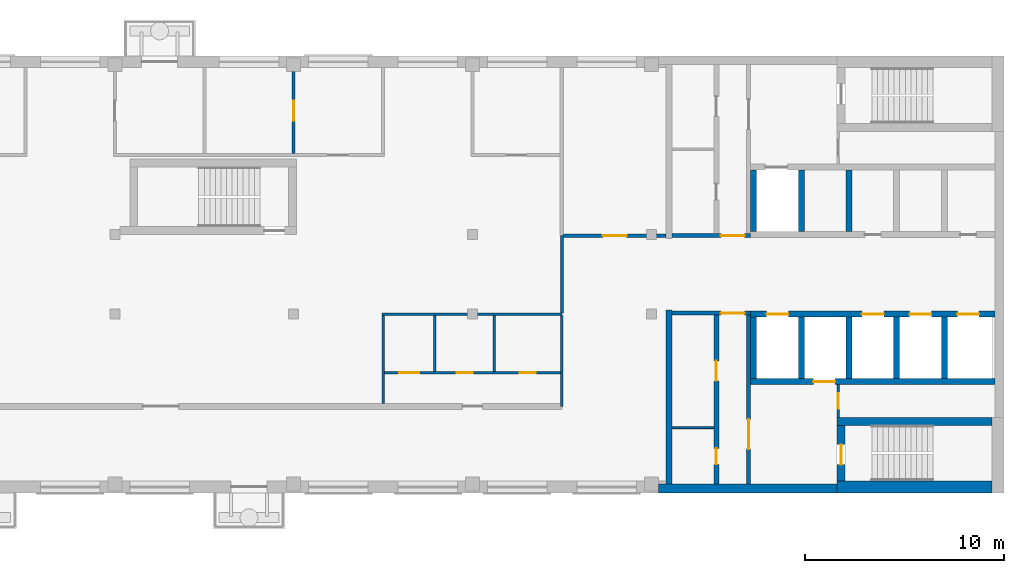
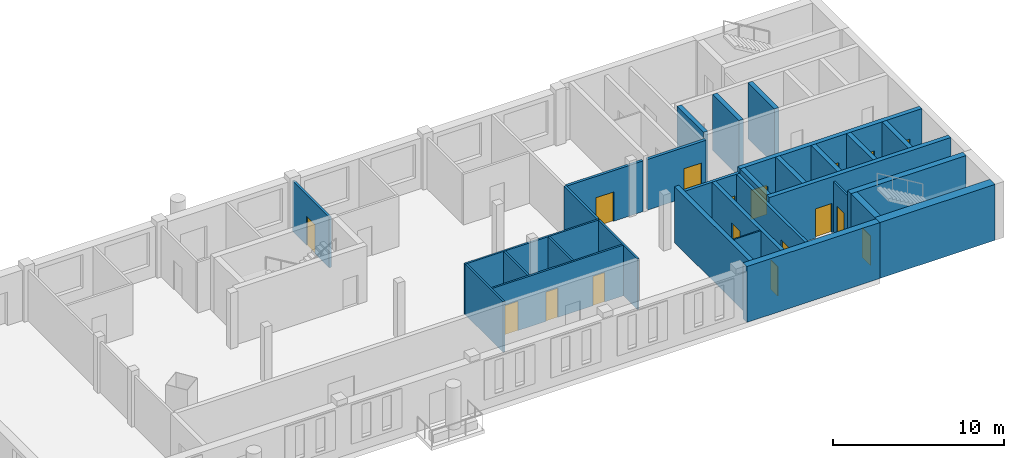
# One storey, part 3 of 7: 30 walls, 17 doors, 17 openings.
"""IFC4 building model written with IfcOpenShell, lengths in metres."""

import ifcopenshell
import ifcopenshell.guid

model = None  # the IFC model being written
_history = None  # IfcOwnerHistory: only IFC2X3 demands one
_inside = {}  # id of a spatial element -> (the spatial element, [elements in it])
_under = {}  # id of a project, library or spatial element -> (it, [spatial elements below it])
_declared = {}  # id of a project -> (the project, [libraries it declares])
_typed = {}  # id of a type object -> (the type object, [elements of that type])
_made_of = {}  # id of a material, layer set ... -> (it, [elements and type objects made of it])


def new_model(schema):
    """Start an empty IFC model of exactly this schema.

    Asked for "IFC4X3", IfcOpenShell would pick the latest addendum, in which some entities
    have other attributes; the version numbers below select the first issue.
    IFC2X3 requires an IfcOwnerHistory on every rooted entity: one is made here for all.
    """
    global model, _history
    if schema == "IFC4X3":
        model = ifcopenshell.file(schema_version=(4, 3, 0, 0))
    else:
        model = ifcopenshell.file(schema=schema)
    _inside.clear()
    _under.clear()
    _declared.clear()
    _typed.clear()
    _made_of.clear()
    _history = None
    if model.schema == "IFC2X3":
        org = make("IfcOrganization", Name="unknown")
        user = make(
            "IfcPersonAndOrganization",
            ThePerson=make("IfcPerson", FamilyName="unknown"),
            TheOrganization=org,
        )
        app = make(
            "IfcApplication",
            ApplicationDeveloper=org,
            Version="unknown",
            ApplicationFullName="unknown",
            ApplicationIdentifier="unknown",
        )
        _history = make(
            "IfcOwnerHistory",
            OwningUser=user,
            OwningApplication=app,
            ChangeAction="ADDED",
            CreationDate=0,
        )
    return model


def make(cls, **values):
    """One entity of the class cls with the attributes given. An attribute that is None is left unset."""
    return model.create_entity(
        cls, **{name: value for name, value in values.items() if value is not None}
    )


def rooted(cls, **values):
    """An entity with a GlobalId (a new one), such as an element, a storey or a relation."""
    return make(cls, GlobalId=ifcopenshell.guid.new(), OwnerHistory=_history, **values)


def si_unit(unit_type, name, prefix=None):
    """IfcSIUnit, for example si_unit("LENGTHUNIT", "METRE", prefix="MILLI")."""
    return make("IfcSIUnit", UnitType=unit_type, Prefix=prefix, Name=name)


def assignment(units):
    """IfcUnitAssignment: the units of a project."""
    return None if units is None else make("IfcUnitAssignment", Units=units)


def point(xyz):
    """IfcCartesianPoint."""
    return None if xyz is None else make("IfcCartesianPoint", Coordinates=xyz)


def direction(xyz):
    """IfcDirection."""
    return None if xyz is None else make("IfcDirection", DirectionRatios=xyz)


def frame(location, z_axis=None, x_axis=None):
    """IfcAxis2Placement3D, a coordinate frame: its origin and axes. An axis left out is left unset."""
    return make(
        "IfcAxis2Placement3D",
        Location=point(location),
        Axis=direction(z_axis),
        RefDirection=direction(x_axis),
    )


def frame_2d(location, x_axis=None):
    """IfcAxis2Placement2D, a coordinate frame in the plane: its origin and x axis."""
    return make(
        "IfcAxis2Placement2D", Location=point(location), RefDirection=direction(x_axis)
    )


def origin():
    """The frame at (0, 0, 0) with its axes left unset."""
    return frame((0.0, 0.0, 0.0))


def place(relative_to, where):
    """IfcLocalPlacement: puts the frame where relative to a parent placement (None: the world)."""
    return make(
        "IfcLocalPlacement", PlacementRelTo=relative_to, RelativePlacement=where
    )


def context(
    kind, dimensions, precision=None, world=None, true_north=None, identifier=None
):
    """IfcGeometricRepresentationContext, for example the 3D "Model" context."""
    return make(
        "IfcGeometricRepresentationContext",
        ContextIdentifier=identifier,
        ContextType=kind,
        CoordinateSpaceDimension=dimensions,
        Precision=precision,
        WorldCoordinateSystem=world,
        TrueNorth=true_north,
    )


def subcontext(parent, identifier, kind, view, scale=None):
    """IfcGeometricRepresentationSubContext, for example "Body" below "Model"."""
    return make(
        "IfcGeometricRepresentationSubContext",
        ContextIdentifier=identifier,
        ContextType=kind,
        ParentContext=parent,
        TargetScale=scale,
        TargetView=view,
    )


def project(units=None, contexts=None):
    """IfcProject with its units and contexts."""
    return rooted(
        "IfcProject",
        Name="project",
        RepresentationContexts=contexts,
        UnitsInContext=assignment(units),
    )


def spatial(cls, under=None, at=None, **own):
    """A site, building, storey or space (cls), placed at a placement, below another one or the project."""
    s = rooted(cls, ObjectPlacement=at, **own)
    if under is not None:
        _under.setdefault(under.id(), (under, []))[1].append(s)
    return s


def profile(cls, at=None, kind="AREA", **sizes):
    """A parametric profile (cls). Its sizes go by their IFC names, for example OverallWidth=200.0."""
    return make(cls, ProfileType=kind, Position=at, **sizes)


def rectangle(**sizes):
    """IfcRectangleProfileDef."""
    return profile("IfcRectangleProfileDef", **sizes)


def extrude(swept, where, along, depth):
    """IfcExtrudedAreaSolid: the profile swept, set in the frame where, extruded along a direction by depth."""
    return make(
        "IfcExtrudedAreaSolid",
        SweptArea=swept,
        Position=where,
        ExtrudedDirection=direction(along),
        Depth=depth,
    )


def shape(context_of_items, identifier, shape_type, items):
    """IfcShapeRepresentation: the items that make up one representation, for example the "Body"."""
    return make(
        "IfcShapeRepresentation",
        ContextOfItems=context_of_items,
        RepresentationIdentifier=identifier,
        RepresentationType=shape_type,
        Items=items,
    )


def material(Name=None, Category=None):
    """IfcMaterial."""
    return make("IfcMaterial", Name=Name, Category=Category)


def layer(
    of_material, thickness, ventilated=None, Name=None, Category=None, Priority=None
):
    """IfcMaterialLayer: one layer of a wall or slab, of a material (None: an air gap)."""
    return make(
        "IfcMaterialLayer",
        Material=of_material,
        LayerThickness=thickness,
        IsVentilated=ventilated,
        Name=Name,
        Category=Category,
        Priority=Priority,
    )


def layer_set(layers, Name=None):
    """IfcMaterialLayerSet."""
    return make("IfcMaterialLayerSet", MaterialLayers=layers, LayerSetName=Name)


def made_of(thing, what):
    """Note that an element or type object is made of a material, layer set ...; save() writes the relation."""
    if what is not None:
        _made_of.setdefault(what.id(), (what, []))[1].append(thing)
    return thing


def type_object(cls, material=None, **own):
    """A type object (cls), such as IfcWallType, which elements share."""
    return made_of(rooted(cls, **own), material)


def element(
    cls,
    number,
    at=None,
    inside=None,
    cuts=None,
    type_object=None,
    material=None,
    context=None,
    identifier="Body",
    shape_type=None,
    held_by="IfcProductDefinitionShape",
    body=None,
    shapes=None,
    **own,
):
    """One element of the class cls, such as IfcWall. Its Tag is "e" and its number.

    at: its placement. inside: the storey or other place that contains it. cuts: it is an
    opening in that element (IfcRelVoidsElement). A single representation is given by context,
    identifier, shape_type and body (its items); several are given by shapes. held_by: the class
    of the entity that holds the representations. save() writes the other relations.
    """
    e = rooted(cls, Tag="e%d" % number, ObjectPlacement=at, **own)
    if body is not None:
        shapes = [shape(context, identifier, shape_type, body)]
    if shapes is not None:
        e.Representation = make(held_by, Representations=shapes)
    if inside is not None:
        _inside.setdefault(inside.id(), (inside, []))[1].append(e)
    if cuts is not None:
        rooted(
            "IfcRelVoidsElement", RelatingBuildingElement=cuts, RelatedOpeningElement=e
        )
    if type_object is not None:
        _typed.setdefault(type_object.id(), (type_object, []))[1].append(e)
    return made_of(e, material)


def fill(opening, filler):
    """IfcRelFillsElement: the door or window that sits in an opening."""
    return rooted(
        "IfcRelFillsElement",
        RelatingOpeningElement=opening,
        RelatedBuildingElement=filler,
    )


def aggregate(whole, parts):
    """IfcRelAggregates: a whole, such as a stair, and the parts it consists of."""
    return rooted("IfcRelAggregates", RelatingObject=whole, RelatedObjects=parts)


def save(model, path):
    """Write the relations noted so far, then the file.

    IfcRelAggregates (storeys below a building ...), IfcRelContainedInSpatialStructure (elements
    in a storey), IfcRelDefinesByType, IfcRelAssociatesMaterial and IfcRelDeclares: one each for
    every whole, place, type object, material and project.
    """
    for whole, parts in _under.values():
        aggregate(whole, parts)
    for where, things in _inside.values():
        rooted(
            "IfcRelContainedInSpatialStructure",
            RelatedElements=things,
            RelatingStructure=where,
        )
    for kind, things in _typed.values():
        rooted("IfcRelDefinesByType", RelatedObjects=things, RelatingType=kind)
    for what, things in _made_of.values():
        rooted("IfcRelAssociatesMaterial", RelatedObjects=things, RelatingMaterial=what)
    for by, libraries in _declared.values():
        rooted("IfcRelDeclares", RelatingContext=by, RelatedDefinitions=libraries)
    model.write(path)


model = new_model("IFC4")

# Units and contexts
model_context = context("Model", 3, precision=1e-05, world=origin(), true_north=direction((0.0, 1.0)))
body_context = subcontext(model_context, "Body", "Model", "MODEL_VIEW")
ifc_project = project(units=[si_unit("LENGTHUNIT", "METRE"), si_unit("AREAUNIT", "SQUARE_METRE"), si_unit("VOLUMEUNIT", "CUBIC_METRE"), si_unit("PLANEANGLEUNIT", "RADIAN"), si_unit("MASSUNIT", "GRAM", prefix="KILO")], contexts=[model_context])

# Site, building, storey
site_placement = place(None, origin())
site = spatial("IfcSite", under=ifc_project, at=site_placement, CompositionType="ELEMENT")
building_placement = place(site_placement, origin())
building = spatial("IfcBuilding", under=site, at=building_placement, Name="Skarvind Civic Tower", CompositionType="ELEMENT")
storey_placement = place(building_placement, frame((0.0, 0.0, 265.5)))
storey = spatial("IfcBuildingStorey", under=building, at=storey_placement, Name="L63", CompositionType="ELEMENT", Elevation=265.5)

# Wall, opening, door
ifc_material_1 = material(Name="Acoustic gypsum board on steel studs", Category="steel")
ifc_layer_1 = layer(ifc_material_1, 0.175048828125)
ifc_layer_set_1 = layer_set([ifc_layer_1], Name="ACOUSTIC MEETING-ROOM PARTITION 175")
wall_type_1 = type_object("IfcWallType", Name="ACOUSTIC MEETING-ROOM PARTITION 175", PredefinedType="PARTITIONING", material=ifc_layer_set_1)
wall_1_placement = place(storey_placement, frame((85.837890625, 129.949951171875, 0.0), z_axis=(0.0, 0.0, 1.0), x_axis=(1.0, 0.0, 0.0)))
wall_1 = element("IfcWall", 1, at=wall_1_placement, inside=storey, type_object=wall_type_1, Name="Partition 63.021", PredefinedType="PARTITIONING", context=body_context, shape_type="SweptSolid", body=[
    extrude(rectangle(XDim=5.162109375, YDim=0.175048828125, at=frame_2d((2.5810546875, 0.0))), origin(), (0.0, 0.0, 1.0), 3.625),
])
opening_1_placement = place(wall_1_placement, frame((1.970947265625, 0.0, 0.0)))
opening_1 = element("IfcOpeningElement", 2, at=opening_1_placement, cuts=wall_1, Name="Opening L63-D001", PredefinedType="OPENING", context=body_context, shape_type="SweptSolid", body=[
    extrude(rectangle(XDim=1.199951171875, YDim=2.10009765625, at=frame_2d((0.60009765625, 1.050048828125))), frame((0.0, 0.097412109375, 0.0), z_axis=(0.0, -1.0, 0.0), x_axis=(1.0, 0.0, 0.0)), (0.0, 0.0, 1.0), 0.195068359375),
])
ifc_material_2 = material(Name="Timber door leaf", Category="wood")
door_type_1 = type_object("IfcDoorType", Name="DOOR 1200X2100 DOUBLE TIMBER", OperationType="NOTDEFINED", PredefinedType="DOOR", material=ifc_material_2)
door_1_placement = place(opening_1_placement, origin())
door_1 = element("IfcDoor", 3, at=door_1_placement, inside=storey, type_object=door_type_1, Name="Door L63-D001", OperationType="DOUBLE_DOOR_SINGLE_SWING", OverallHeight=2.10009765625, OverallWidth=1.199951171875, PredefinedType="DOOR", context=body_context, shape_type="SweptSolid", body=[
    extrude(rectangle(XDim=1.199951171875, YDim=2.10009765625, at=frame_2d((0.60009765625, 1.050048828125))), frame((0.0, 0.02490234375, 0.0), z_axis=(0.0, -1.0, 0.0), x_axis=(1.0, 0.0, 0.0)), (0.0, 0.0, 1.0), 0.050048828125),
])
fill(opening_1, door_1)

ifc_material_3 = material(Name="Fire-rated masonry partition", Category="masonry")
ifc_layer_2 = layer(ifc_material_3, 0.199951171875)
ifc_layer_set_2 = layer_set([ifc_layer_2], Name="Core enclosure wall 200")
wall_type_2 = type_object("IfcWallType", Name="Core enclosure wall 200", PredefinedType="PARTITIONING", material=ifc_layer_set_2)
wall_2_placement = place(storey_placement, frame((95.25, 126.050048828125, 0.0), z_axis=(0.0, 0.0, 1.0), x_axis=(-1.0, 0.0, 0.0)))
wall_2 = element("IfcWall", 4, at=wall_2_placement, inside=storey, type_object=wall_type_2, Name="Core wall C1", PredefinedType="PARTITIONING", context=body_context, shape_type="SweptSolid", body=[
    extrude(rectangle(XDim=3.949951171875, YDim=0.199951171875, at=frame_2d((1.97509765625, 0.0))), origin(), (0.0, 0.0, 1.0), 3.625),
])
opening_2_placement = place(wall_2_placement, frame((0.300048828125, 0.0, 0.0)))
opening_2 = element("IfcOpeningElement", 5, at=opening_2_placement, cuts=wall_2, Name="Opening D-L63-C1-07", PredefinedType="OPENING", context=body_context, shape_type="SweptSolid", body=[
    extrude(rectangle(XDim=1.199951171875, YDim=2.10009765625, at=frame_2d((0.60009765625, 1.050048828125))), frame((0.0, 0.10986328125, 0.0), z_axis=(0.0, -1.0, 0.0), x_axis=(1.0, 0.0, 0.0)), (0.0, 0.0, 1.0), 0.219970703125),
])
ifc_material_4 = material(Name="Fire-rated steel door", Category="steel")
door_type_2 = type_object("IfcDoorType", Name="Core lobby door 1200", OperationType="NOTDEFINED", PredefinedType="DOOR", material=ifc_material_4)
door_2_placement = place(opening_2_placement, origin())
door_2 = element("IfcDoor", 6, at=door_2_placement, inside=storey, type_object=door_type_2, Name="Fire door", OperationType="DOUBLE_DOOR_SINGLE_SWING", OverallHeight=2.10009765625, OverallWidth=1.199951171875, PredefinedType="DOOR", context=body_context, shape_type="SweptSolid", body=[
    extrude(rectangle(XDim=1.199951171875, YDim=2.10009765625, at=frame_2d((0.60009765625, 1.050048828125))), frame((0.0, 0.02490234375, 0.0), z_axis=(0.0, -1.0, 0.0), x_axis=(1.0, 0.0, 0.0)), (0.0, 0.0, 1.0), 0.050048828125),
])
fill(opening_2, door_2)

wall_3_placement = place(storey_placement, frame((95.14990234375, 117.449951171875, 0.0), z_axis=(0.0, 0.0, 1.0), x_axis=(0.0, 1.0, 0.0)))
wall_3 = element("IfcWall", 7, at=wall_3_placement, inside=storey, type_object=wall_type_2, Name="Core wall C1", PredefinedType="PARTITIONING", context=body_context, shape_type="SweptSolid", body=[
    extrude(rectangle(XDim=8.5, YDim=0.199951171875, at=frame_2d((4.25, 0.0))), origin(), (0.0, 0.0, 1.0), 3.625),
])
opening_3_placement = place(wall_3_placement, frame((1.75, 0.0, 0.0)))
opening_3 = element("IfcOpeningElement", 8, at=opening_3_placement, cuts=wall_3, Name="Opening D-L63-C1-08", PredefinedType="OPENING", context=body_context, shape_type="SweptSolid", body=[
    extrude(rectangle(XDim=1.5, YDim=2.10009765625, at=frame_2d((0.75, 1.050048828125))), frame((0.0, 0.10986328125, 0.0), z_axis=(0.0, -1.0, 0.0), x_axis=(1.0, 0.0, 0.0)), (0.0, 0.0, 1.0), 0.219970703125),
])
door_type_3 = type_object("IfcDoorType", Name="Fire door 1500", OperationType="NOTDEFINED", PredefinedType="DOOR", material=ifc_material_4)
door_3_placement = place(opening_3_placement, origin())
door_3 = element("IfcDoor", 9, at=door_3_placement, inside=storey, type_object=door_type_3, Name="Fire door", OperationType="DOUBLE_DOOR_SINGLE_SWING", OverallHeight=2.10009765625, OverallWidth=1.5, PredefinedType="DOOR", context=body_context, shape_type="SweptSolid", body=[
    extrude(rectangle(XDim=1.5, YDim=2.10009765625, at=frame_2d((0.75, 1.050048828125))), frame((0.0, 0.02490234375, 0.0), z_axis=(0.0, -1.0, 0.0), x_axis=(1.0, 0.0, 0.0)), (0.0, 0.0, 1.0), 0.050048828125),
])
fill(opening_3, door_3)

wall_4_placement = place(storey_placement, frame((91.300048828125, 129.949951171875, 0.0), z_axis=(0.0, 0.0, 1.0), x_axis=(1.0, 0.0, 0.0)))
wall_4 = element("IfcWall", 10, at=wall_4_placement, inside=storey, type_object=wall_type_2, Name="Core wall C1", PredefinedType="PARTITIONING", context=body_context, shape_type="SweptSolid", body=[
    extrude(rectangle(XDim=3.949951171875, YDim=0.199951171875, at=frame_2d((1.97509765625, 0.0))), origin(), (0.0, 0.0, 1.0), 3.625),
])
opening_4_placement = place(wall_4_placement, frame((2.449951171875, 0.0, 0.0)))
opening_4 = element("IfcOpeningElement", 11, at=opening_4_placement, cuts=wall_4, Name="Opening D-L63-C1-13", PredefinedType="OPENING", context=body_context, shape_type="SweptSolid", body=[
    extrude(rectangle(XDim=1.199951171875, YDim=2.10009765625, at=frame_2d((0.60009765625, 1.050048828125))), frame((0.0, 0.10986328125, 0.0), z_axis=(0.0, -1.0, 0.0), x_axis=(1.0, 0.0, 0.0)), (0.0, 0.0, 1.0), 0.219970703125),
])
door_4_placement = place(opening_4_placement, origin())
door_4 = element("IfcDoor", 12, at=door_4_placement, inside=storey, type_object=door_type_2, Name="Fire door", OperationType="DOUBLE_DOOR_SINGLE_SWING", OverallHeight=2.10009765625, OverallWidth=1.199951171875, PredefinedType="DOOR", context=body_context, shape_type="SweptSolid", body=[
    extrude(rectangle(XDim=1.199951171875, YDim=2.10009765625, at=frame_2d((0.60009765625, 1.050048828125))), frame((0.0, 0.02490234375, 0.0), z_axis=(0.0, -1.0, 0.0), x_axis=(1.0, 0.0, 0.0)), (0.0, 0.0, 1.0), 0.050048828125),
])
fill(opening_4, door_4)

# Walls
ifc_material_5 = material(Name="Fire-rated plasterboard partition")
ifc_layer_3 = layer(ifc_material_5, 0.10009765625)
ifc_layer_set_3 = layer_set([ifc_layer_3], Name="Core partition wall 100")
wall_type_3 = type_object("IfcWallType", Name="Core partition wall 100", PredefinedType="PARTITIONING", material=ifc_layer_set_3)
wall_5_placement = place(storey_placement, frame((93.39990234375, 120.280029296875, 0.0), z_axis=(0.0, 0.0, 1.0), x_axis=(-1.0, 0.0, 0.0)))
element("IfcWall", 13, at=wall_5_placement, inside=storey, type_object=wall_type_3, Name="Core wall C1", PredefinedType="PARTITIONING", context=body_context, shape_type="SweptSolid", body=[
    extrude(rectangle(XDim=2.099853515625, YDim=0.10009765625, at=frame_2d((1.0498046875, 0.0))), origin(), (0.0, 0.0, 1.0), 3.625),
])
ifc_material_6 = material(Name="Concrete C60", Category="concrete")
ifc_layer_4 = layer(ifc_material_6, 0.300048828125)
ifc_layer_set_4 = layer_set([ifc_layer_4], Name="Core wall 300 C60")
wall_type_4 = type_object("IfcWallType", Name="Core wall 300 C60", PredefinedType="SHEAR", material=ifc_layer_set_4)
for number, where, z_axis, x_axis, name in (
    (14, (100.199951171875, 133.25, 0.0), (0.0, 0.0, 1.0), (0.0, -1.0, 0.0), "Core wall C1 south lift row division 3 L63"),
    (15, (97.800048828125, 133.25, 0.0), (0.0, 0.0, 1.0), (0.0, -1.0, 0.0), "Core wall C1 south lift row division 4 L63"),
    (16, (95.39990234375, 133.25, 0.0), (0.0, 0.0, 1.0), (0.0, -1.0, 0.0), "Core wall C1 south lift row division 5 L63"),
):
    element("IfcWall", number, at=place(storey_placement, frame(where, z_axis=z_axis, x_axis=x_axis)), inside=storey, type_object=wall_type_4, Name=name, PredefinedType="SHEAR", context=body_context, shape_type="SweptSolid", body=[
        extrude(rectangle(XDim=3.10009765625, YDim=0.300048828125, at=frame_2d((1.550048828125, 0.0))), origin(), (0.0, 0.0, 1.0), 4.0),
    ])

# Wall, openings, doors
wall_6_placement = place(storey_placement, frame((107.550048828125, 126.0, 0.0), z_axis=(0.0, 0.0, 1.0), x_axis=(-1.0, 0.0, 0.0)))
wall_6 = element("IfcWall", 17, at=wall_6_placement, inside=storey, type_object=wall_type_4, Name="Core wall C1 north lift row front L63", PredefinedType="SHEAR", context=body_context, shape_type="SweptSolid", body=[
    extrude(rectangle(XDim=12.300048828125, YDim=0.300048828125, at=frame_2d((6.14990234375, 0.0))), origin(), (0.0, 0.0, 1.0), 4.0),
])
opening_5_placement = place(wall_6_placement, frame((0.800048828125, 0.0, 0.0)))
opening_5 = element("IfcOpeningElement", 18, at=opening_5_placement, cuts=wall_6, Name="Opening LD65101", PredefinedType="OPENING", context=body_context, shape_type="SweptSolid", body=[
    extrude(rectangle(XDim=1.10009765625, YDim=2.10009765625, at=frame_2d((0.550048828125, 1.050048828125))), frame((0.0, 0.159912109375, 0.0), z_axis=(0.0, -1.0, 0.0), x_axis=(1.0, 0.0, 0.0)), (0.0, 0.0, 1.0), 0.320068359375),
])
opening_6_placement = place(wall_6_placement, frame((3.199951171875, 0.0, 0.0)))
opening_6 = element("IfcOpeningElement", 19, at=opening_6_placement, cuts=wall_6, Name="Opening LD65102", PredefinedType="OPENING", context=body_context, shape_type="SweptSolid", body=[
    extrude(rectangle(XDim=1.10009765625, YDim=2.10009765625, at=frame_2d((0.550048828125, 1.050048828125))), frame((0.0, 0.159912109375, 0.0), z_axis=(0.0, -1.0, 0.0), x_axis=(1.0, 0.0, 0.0)), (0.0, 0.0, 1.0), 0.320068359375),
])
opening_7_placement = place(wall_6_placement, frame((5.60009765625, 0.0, 0.0)))
opening_7 = element("IfcOpeningElement", 20, at=opening_7_placement, cuts=wall_6, Name="Opening LD65103", PredefinedType="OPENING", context=body_context, shape_type="SweptSolid", body=[
    extrude(rectangle(XDim=1.10009765625, YDim=2.10009765625, at=frame_2d((0.550048828125, 1.050048828125))), frame((0.0, 0.159912109375, 0.0), z_axis=(0.0, -1.0, 0.0), x_axis=(1.0, 0.0, 0.0)), (0.0, 0.0, 1.0), 0.320068359375),
])
opening_8_placement = place(wall_6_placement, frame((10.39990234375, 0.0, 0.0)))
opening_8 = element("IfcOpeningElement", 21, at=opening_8_placement, cuts=wall_6, Name="Opening LD65105", PredefinedType="OPENING", context=body_context, shape_type="SweptSolid", body=[
    extrude(rectangle(XDim=1.10009765625, YDim=2.10009765625, at=frame_2d((0.550048828125, 1.050048828125))), frame((0.0, 0.159912109375, 0.0), z_axis=(0.0, -1.0, 0.0), x_axis=(1.0, 0.0, 0.0)), (0.0, 0.0, 1.0), 0.320068359375),
])
ifc_material_7 = material(Name="Stainless steel landing door", Category="steel")
door_type_4 = type_object("IfcDoorType", Name="Lift landing door 1100", OperationType="DOUBLE_DOOR_SLIDING", PredefinedType="DOOR", material=ifc_material_7)
door_5_placement = place(opening_5_placement, origin())
door_5 = element("IfcDoor", 22, at=door_5_placement, inside=storey, type_object=door_type_4, Name="Lift landing door", OperationType="DOUBLE_DOOR_SLIDING", OverallHeight=2.10009765625, OverallWidth=1.10009765625, PredefinedType="DOOR", context=body_context, shape_type="SweptSolid", body=[
    extrude(rectangle(XDim=1.10009765625, YDim=2.10009765625, at=frame_2d((0.550048828125, 1.050048828125))), frame((0.0, 0.02490234375, 0.0), z_axis=(0.0, -1.0, 0.0), x_axis=(1.0, 0.0, 0.0)), (0.0, 0.0, 1.0), 0.050048828125),
])
fill(opening_5, door_5)
door_6_placement = place(opening_6_placement, origin())
door_6 = element("IfcDoor", 23, at=door_6_placement, inside=storey, type_object=door_type_4, Name="Lift landing door", OperationType="DOUBLE_DOOR_SLIDING", OverallHeight=2.10009765625, OverallWidth=1.10009765625, PredefinedType="DOOR", context=body_context, shape_type="SweptSolid", body=[
    extrude(rectangle(XDim=1.10009765625, YDim=2.10009765625, at=frame_2d((0.550048828125, 1.050048828125))), frame((0.0, 0.02490234375, 0.0), z_axis=(0.0, -1.0, 0.0), x_axis=(1.0, 0.0, 0.0)), (0.0, 0.0, 1.0), 0.050048828125),
])
fill(opening_6, door_6)
door_7_placement = place(opening_7_placement, origin())
door_7 = element("IfcDoor", 24, at=door_7_placement, inside=storey, type_object=door_type_4, Name="Lift landing door", OperationType="DOUBLE_DOOR_SLIDING", OverallHeight=2.10009765625, OverallWidth=1.10009765625, PredefinedType="DOOR", context=body_context, shape_type="SweptSolid", body=[
    extrude(rectangle(XDim=1.10009765625, YDim=2.10009765625, at=frame_2d((0.550048828125, 1.050048828125))), frame((0.0, 0.02490234375, 0.0), z_axis=(0.0, -1.0, 0.0), x_axis=(1.0, 0.0, 0.0)), (0.0, 0.0, 1.0), 0.050048828125),
])
fill(opening_7, door_7)
door_8_placement = place(opening_8_placement, origin())
door_8 = element("IfcDoor", 25, at=door_8_placement, inside=storey, type_object=door_type_4, Name="Lift landing door", OperationType="DOUBLE_DOOR_SLIDING", OverallHeight=2.10009765625, OverallWidth=1.10009765625, PredefinedType="DOOR", context=body_context, shape_type="SweptSolid", body=[
    extrude(rectangle(XDim=1.10009765625, YDim=2.10009765625, at=frame_2d((0.550048828125, 1.050048828125))), frame((0.0, 0.02490234375, 0.0), z_axis=(0.0, -1.0, 0.0), x_axis=(1.0, 0.0, 0.0)), (0.0, 0.0, 1.0), 0.050048828125),
])
fill(opening_8, door_8)

# Wall, opening, door
wall_7_placement = place(storey_placement, frame((107.550048828125, 122.60009765625, 0.0), z_axis=(0.0, 0.0, 1.0), x_axis=(-1.0, 0.0, 0.0)))
wall_7 = element("IfcWall", 26, at=wall_7_placement, inside=storey, type_object=wall_type_4, Name="Core wall C1 north lift row back L63", PredefinedType="SHEAR", context=body_context, shape_type="SweptSolid", body=[
    extrude(rectangle(XDim=12.300048828125, YDim=0.300048828125, at=frame_2d((6.14990234375, 0.0))), origin(), (0.0, 0.0, 1.0), 4.0),
])
opening_9_placement = place(wall_7_placement, frame((8.050048828125, 0.0, 0.0)))
opening_9 = element("IfcOpeningElement", 27, at=opening_9_placement, cuts=wall_7, Name="Opening LD65104", PredefinedType="OPENING", context=body_context, shape_type="SweptSolid", body=[
    extrude(rectangle(XDim=1.10009765625, YDim=2.10009765625, at=frame_2d((0.550048828125, 1.050048828125))), frame((0.0, 0.159912109375, 0.0), z_axis=(0.0, -1.0, 0.0), x_axis=(1.0, 0.0, 0.0)), (0.0, 0.0, 1.0), 0.320068359375),
])
door_9_placement = place(opening_9_placement, origin())
door_9 = element("IfcDoor", 28, at=door_9_placement, inside=storey, type_object=door_type_4, Name="Lift landing door", OperationType="DOUBLE_DOOR_SLIDING", OverallHeight=2.10009765625, OverallWidth=1.10009765625, PredefinedType="DOOR", context=body_context, shape_type="SweptSolid", body=[
    extrude(rectangle(XDim=1.10009765625, YDim=2.10009765625, at=frame_2d((0.550048828125, 1.050048828125))), frame((0.0, 0.02490234375, 0.0), z_axis=(0.0, -1.0, 0.0), x_axis=(1.0, 0.0, 0.0)), (0.0, 0.0, 1.0), 0.050048828125),
])
fill(opening_9, door_9)

# Walls
for number, where, z_axis, x_axis, name in (
    (29, (105.0, 125.85009765625, 0.0), (0.0, 0.0, 1.0), (0.0, -1.0, 0.0), "Core wall C1 north lift row division 1 L63"),
    (30, (102.60009765625, 125.85009765625, 0.0), (0.0, 0.0, 1.0), (0.0, -1.0, 0.0), "Core wall C1 north lift row division 2 L63"),
    (31, (100.199951171875, 125.85009765625, 0.0), (0.0, 0.0, 1.0), (0.0, -1.0, 0.0), "Core wall C1 north lift row division 3 L63"),
    (32, (97.800048828125, 125.85009765625, 0.0), (0.0, 0.0, 1.0), (0.0, -1.0, 0.0), "Core wall C1 north lift row division 4 L63"),
    (33, (95.39990234375, 125.85009765625, 0.0), (0.0, 0.0, 1.0), (0.0, -1.0, 0.0), "Core wall C1 north lift row division 5 L63"),
):
    element("IfcWall", number, at=place(storey_placement, frame(where, z_axis=z_axis, x_axis=x_axis)), inside=storey, type_object=wall_type_4, Name=name, PredefinedType="SHEAR", context=body_context, shape_type="SweptSolid", body=[
        extrude(rectangle(XDim=3.10009765625, YDim=0.300048828125, at=frame_2d((1.550048828125, 0.0))), origin(), (0.0, 0.0, 1.0), 4.0),
    ])
wall_8_placement = place(storey_placement, frame((91.14990234375, 126.199951171875, 0.0), z_axis=(0.0, 0.0, 1.0), x_axis=(0.0, -1.0, 0.0)))
element("IfcWall", 34, at=wall_8_placement, inside=storey, type_object=wall_type_4, Name="Core wall C1 north inner face L63", PredefinedType="SHEAR", context=body_context, shape_type="SweptSolid", body=[
    extrude(rectangle(XDim=8.75, YDim=0.300048828125, at=frame_2d((4.375, 0.0))), origin(), (0.0, 0.0, 1.0), 4.0),
])
ifc_layer_5 = layer(ifc_material_6, 0.39990234375)
ifc_layer_set_5 = layer_set([ifc_layer_5], Name="Core wall 400 C60")
wall_type_5 = type_object("IfcWallType", Name="Core wall 400 C60", PredefinedType="SHEAR", material=ifc_layer_set_5)
wall_9_placement = place(storey_placement, frame((107.39990234375, 120.60009765625, 0.0), z_axis=(0.0, 0.0, 1.0), x_axis=(-1.0, 0.0, 0.0)))
element("IfcWall", 35, at=wall_9_placement, inside=storey, type_object=wall_type_5, Name="Core wall C1 north stair inner L63", PredefinedType="SHEAR", context=body_context, shape_type="SweptSolid", body=[
    extrude(rectangle(XDim=7.7998046875, YDim=0.39990234375, at=frame_2d((3.89990234375, 0.0))), origin(), (0.0, 0.0, 1.0), 4.0),
])

# Wall, opening, door
wall_10_placement = place(storey_placement, frame((99.800048828125, 120.39990234375, 0.0), z_axis=(0.0, 0.0, 1.0), x_axis=(0.0, -1.0, 0.0)))
wall_10 = element("IfcWall", 36, at=wall_10_placement, inside=storey, type_object=wall_type_5, Name="Core wall C1 north stair end L63", PredefinedType="SHEAR", context=body_context, shape_type="SweptSolid", body=[
    extrude(rectangle(XDim=2.7998046875, YDim=0.39990234375, at=frame_2d((1.39990234375, 0.0))), origin(), (0.0, 0.0, 1.0), 4.0),
])
opening_10_placement = place(wall_10_placement, frame((0.97509765625, 0.0, 0.0)))
opening_10 = element("IfcOpeningElement", 37, at=opening_10_placement, cuts=wall_10, Name="Opening D-L63-C1-09", PredefinedType="OPENING", context=body_context, shape_type="SweptSolid", body=[
    extrude(rectangle(XDim=1.0, YDim=2.10009765625, at=frame_2d((0.5, 1.050048828125))), frame((0.0, 0.2099609375, 0.0), z_axis=(0.0, -1.0, 0.0), x_axis=(1.0, 0.0, 0.0)), (0.0, 0.0, 1.0), 0.419921875),
])
door_type_5 = type_object("IfcDoorType", Name="Fire door 1000", OperationType="NOTDEFINED", PredefinedType="DOOR", material=ifc_material_4)
door_10_placement = place(opening_10_placement, origin())
door_10 = element("IfcDoor", 38, at=door_10_placement, inside=storey, type_object=door_type_5, Name="Fire door", OperationType="SINGLE_SWING_LEFT", OverallHeight=2.10009765625, OverallWidth=1.0, PredefinedType="DOOR", context=body_context, shape_type="SweptSolid", body=[
    extrude(rectangle(XDim=1.0, YDim=2.10009765625, at=frame_2d((0.5, 1.050048828125))), frame((0.0, 0.02490234375, 0.0), z_axis=(0.0, -1.0, 0.0), x_axis=(1.0, 0.0, 0.0)), (0.0, 0.0, 1.0), 0.050048828125),
])
fill(opening_10, door_10)

# Walls
ifc_layer_6 = layer(ifc_material_6, 0.449951171875)
ifc_layer_set_6 = layer_set([ifc_layer_6], Name="Core wall 450 C60")
wall_type_6 = type_object("IfcWallType", Name="Core wall 450 C60", PredefinedType="SHEAR", material=ifc_layer_set_6)
wall_11_placement = place(storey_placement, frame((99.60009765625, 117.22509765625, 0.0), z_axis=(0.0, 0.0, 1.0), x_axis=(-1.0, 0.0, 0.0)))
element("IfcWall", 39, at=wall_11_placement, inside=storey, type_object=wall_type_6, Name="Core wall C1 north side L63", PredefinedType="SHEAR", context=body_context, shape_type="SweptSolid", body=[
    extrude(rectangle(XDim=9.0, YDim=0.449951171875, at=frame_2d((4.5, 0.0))), origin(), (0.0, 0.0, 1.0), 4.0),
])
ifc_layer_7 = layer(ifc_material_6, 0.60009765625)
ifc_layer_set_7 = layer_set([ifc_layer_7], Name="Core wall 600 C60")
wall_type_7 = type_object("IfcWallType", Name="Core wall 600 C60", PredefinedType="SHEAR", material=ifc_layer_set_7)
wall_12_placement = place(storey_placement, frame((107.39990234375, 117.300048828125, 0.0), z_axis=(0.0, 0.0, 1.0), x_axis=(-1.0, 0.0, 0.0)))
element("IfcWall", 40, at=wall_12_placement, inside=storey, type_object=wall_type_7, Name="Core wall C1 north side at the stair L63", PredefinedType="SHEAR", context=body_context, shape_type="SweptSolid", body=[
    extrude(rectangle(XDim=7.7998046875, YDim=0.60009765625, at=frame_2d((3.89990234375, 0.0))), origin(), (0.0, 0.0, 1.0), 4.0),
])

# Wall, opening, door
ifc_material_8 = material(Name="Plasterboard partition on steel studs", Category="steel")
ifc_layer_8 = layer(ifc_material_8, 0.14990234375)
ifc_layer_set_8 = layer_set([ifc_layer_8], Name="PARTITION 150")
wall_type_8 = type_object("IfcWallType", Name="PARTITION 150", PredefinedType="PARTITIONING", material=ifc_layer_set_8)
wall_13_placement = place(storey_placement, frame((72.25, 134.074951171875, 0.0), z_axis=(0.0, 0.0, 1.0), x_axis=(0.0, 1.0, 0.0)))
wall_13 = element("IfcWall", 41, at=wall_13_placement, inside=storey, type_object=wall_type_8, Name="Partition 63.009", PredefinedType="PARTITIONING", context=body_context, shape_type="SweptSolid", body=[
    extrude(rectangle(XDim=4.324951171875, YDim=0.14990234375, at=frame_2d((2.16259765625, 0.0))), origin(), (0.0, 0.0, 1.0), 3.625),
])
opening_11_placement = place(wall_13_placement, frame((1.652587890625, 0.0, 0.0)))
opening_11 = element("IfcOpeningElement", 42, at=opening_11_placement, cuts=wall_13, Name="Opening L63-D012", PredefinedType="OPENING", context=body_context, shape_type="SweptSolid", body=[
    extrude(rectangle(XDim=1.0, YDim=2.10009765625, at=frame_2d((0.5, 1.050048828125))), frame((0.0, 0.0849609375, 0.0), z_axis=(0.0, -1.0, 0.0), x_axis=(1.0, 0.0, 0.0)), (0.0, 0.0, 1.0), 0.169921875),
])
door_type_6 = type_object("IfcDoorType", Name="D1 1000x2100", OperationType="NOTDEFINED", PredefinedType="DOOR", material=ifc_material_2)
door_11_placement = place(opening_11_placement, origin())
door_11 = element("IfcDoor", 43, at=door_11_placement, inside=storey, type_object=door_type_6, Name="Door L63-D012", OperationType="SINGLE_SWING_LEFT", OverallHeight=2.10009765625, OverallWidth=1.0, PredefinedType="DOOR", context=body_context, shape_type="SweptSolid", body=[
    extrude(rectangle(XDim=1.0, YDim=2.10009765625, at=frame_2d((0.5, 1.050048828125))), frame((0.0, 0.02490234375, 0.0), z_axis=(0.0, -1.0, 0.0), x_axis=(1.0, 0.0, 0.0)), (0.0, 0.0, 1.0), 0.050048828125),
])
fill(opening_11, door_11)

# Wall
wall_14_placement = place(storey_placement, frame((85.75, 126.06005859375, 0.0), z_axis=(0.0, 0.0, 1.0), x_axis=(0.0, 1.0, 0.0)))
element("IfcWall", 44, at=wall_14_placement, inside=storey, type_object=wall_type_8, Name="Partition 63.018", PredefinedType="PARTITIONING", context=body_context, shape_type="SweptSolid", body=[
    extrude(rectangle(XDim=3.889892578125, YDim=0.14990234375, at=frame_2d((1.94482421875, 0.0))), origin(), (0.0, 0.0, 1.0), 3.625),
])

# Wall, opening, door
ifc_layer_9 = layer(ifc_material_3, 0.125)
ifc_layer_set_9 = layer_set([ifc_layer_9], Name="Riser wall 125")
wall_type_9 = type_object("IfcWallType", Name="Riser wall 125", PredefinedType="PARTITIONING", material=ifc_layer_set_9)
wall_15_placement = place(storey_placement, frame((99.66259765625, 120.800048828125, 0.0), z_axis=(0.0, 0.0, 1.0), x_axis=(0.0, 1.0, 0.0)))
wall_15 = element("IfcWall", 45, at=wall_15_placement, inside=storey, type_object=wall_type_9, Name="Core wall C1", PredefinedType="PARTITIONING", context=body_context, shape_type="SweptSolid", body=[
    extrude(rectangle(XDim=1.64990234375, YDim=0.125, at=frame_2d((0.824951171875, 0.0))), origin(), (0.0, 0.0, 1.0), 3.625),
])
opening_12_placement = place(wall_15_placement, frame((0.425048828125, 0.0, 0.0)))
opening_12 = element("IfcOpeningElement", 46, at=opening_12_placement, cuts=wall_15, Name="Opening D-L63-C1-10", PredefinedType="OPENING", context=body_context, shape_type="SweptSolid", body=[
    extrude(rectangle(XDim=0.800048828125, YDim=2.10009765625, at=frame_2d((0.39990234375, 1.050048828125))), frame((0.0, 0.072509765625, 0.0), z_axis=(0.0, -1.0, 0.0), x_axis=(1.0, 0.0, 0.0)), (0.0, 0.0, 1.0), 0.14501953125),
])
door_type_7 = type_object("IfcDoorType", Name="Core riser door 800", OperationType="NOTDEFINED", PredefinedType="DOOR", material=ifc_material_4)
door_12_placement = place(opening_12_placement, origin())
door_12 = element("IfcDoor", 47, at=door_12_placement, inside=storey, type_object=door_type_7, Name="Riser door", OperationType="SINGLE_SWING_RIGHT", OverallHeight=2.10009765625, OverallWidth=0.800048828125, PredefinedType="DOOR", context=body_context, shape_type="SweptSolid", body=[
    extrude(rectangle(XDim=0.800048828125, YDim=2.10009765625, at=frame_2d((0.39990234375, 1.050048828125))), frame((0.0, 0.02490234375, 0.0), z_axis=(0.0, -1.0, 0.0), x_axis=(1.0, 0.0, 0.0)), (0.0, 0.0, 1.0), 0.050048828125),
])
fill(opening_12, door_12)

# Wall, openings, doors
ifc_layer_10 = layer(ifc_material_3, 0.25)
ifc_layer_set_10 = layer_set([ifc_layer_10], Name="Service block wall 250")
wall_type_10 = type_object("IfcWallType", Name="Service block wall 250", PredefinedType="PARTITIONING", material=ifc_layer_set_10)
wall_16_placement = place(storey_placement, frame((93.52490234375, 117.449951171875, 0.0), z_axis=(0.0, 0.0, 1.0), x_axis=(0.0, 1.0, 0.0)))
wall_16 = element("IfcWall", 48, at=wall_16_placement, inside=storey, type_object=wall_type_10, Name="Core wall C1", PredefinedType="PARTITIONING", context=body_context, shape_type="SweptSolid", body=[
    extrude(rectangle(XDim=8.5, YDim=0.25, at=frame_2d((4.25, 0.0))), origin(), (0.0, 0.0, 1.0), 3.625),
])
opening_13_placement = place(wall_16_placement, frame((5.18994140625, 0.0, 0.0)))
opening_13 = element("IfcOpeningElement", 49, at=opening_13_placement, cuts=wall_16, Name="Opening D-L63-C1-11", PredefinedType="OPENING", context=body_context, shape_type="SweptSolid", body=[
    extrude(rectangle(XDim=1.0, YDim=2.10009765625, at=frame_2d((0.5, 1.050048828125))), frame((0.0, 0.135009765625, 0.0), z_axis=(0.0, -1.0, 0.0), x_axis=(1.0, 0.0, 0.0)), (0.0, 0.0, 1.0), 0.27001953125),
])
opening_14_placement = place(wall_16_placement, frame((0.989990234375, 0.0, 0.0)))
opening_14 = element("IfcOpeningElement", 50, at=opening_14_placement, cuts=wall_16, Name="Opening D-L63-C1-12", PredefinedType="OPENING", context=body_context, shape_type="SweptSolid", body=[
    extrude(rectangle(XDim=0.800048828125, YDim=2.10009765625, at=frame_2d((0.39990234375, 1.050048828125))), frame((0.0, 0.135009765625, 0.0), z_axis=(0.0, -1.0, 0.0), x_axis=(1.0, 0.0, 0.0)), (0.0, 0.0, 1.0), 0.27001953125),
])
door_13_placement = place(opening_14_placement, origin())
door_13 = element("IfcDoor", 51, at=door_13_placement, inside=storey, type_object=door_type_7, Name="Riser door", OperationType="SINGLE_SWING_RIGHT", OverallHeight=2.10009765625, OverallWidth=0.800048828125, PredefinedType="DOOR", context=body_context, shape_type="SweptSolid", body=[
    extrude(rectangle(XDim=0.800048828125, YDim=2.10009765625, at=frame_2d((0.39990234375, 1.050048828125))), frame((0.0, 0.02490234375, 0.0), z_axis=(0.0, -1.0, 0.0), x_axis=(1.0, 0.0, 0.0)), (0.0, 0.0, 1.0), 0.050048828125),
])
fill(opening_14, door_13)
door_14_placement = place(opening_13_placement, origin())
door_14 = element("IfcDoor", 52, at=door_14_placement, inside=storey, type_object=door_type_5, Name="Fire door", OperationType="SINGLE_SWING_LEFT", OverallHeight=2.10009765625, OverallWidth=1.0, PredefinedType="DOOR", context=body_context, shape_type="SweptSolid", body=[
    extrude(rectangle(XDim=1.0, YDim=2.10009765625, at=frame_2d((0.5, 1.050048828125))), frame((0.0, 0.02490234375, 0.0), z_axis=(0.0, -1.0, 0.0), x_axis=(1.0, 0.0, 0.0)), (0.0, 0.0, 1.0), 0.050048828125),
])
fill(opening_13, door_14)

# Wall
ifc_material_9 = material(Name="Moisture-resistant gypsum board on steel studs", Category="steel")
ifc_layer_11 = layer(ifc_material_9, 0.125)
ifc_layer_set_11 = layer_set([ifc_layer_11], Name="WC PARTITION 125")
wall_type_11 = type_object("IfcWallType", Name="WC PARTITION 125", PredefinedType="PARTITIONING", material=ifc_layer_set_11)
wall_17_placement = place(storey_placement, frame((76.75, 121.5, 0.0), z_axis=(0.0, 0.0, 1.0), x_axis=(0.0, 1.0, 0.0)))
element("IfcWall", 53, at=wall_17_placement, inside=storey, type_object=wall_type_11, Name="Partition 63.010", PredefinedType="PARTITIONING", context=body_context, shape_type="SweptSolid", body=[
    extrude(rectangle(XDim=4.43798828125, YDim=0.125, at=frame_2d((2.218994140625, 0.0))), origin(), (0.0, 0.0, 1.0), 3.625),
])

# Wall, openings, doors
wall_18_placement = place(storey_placement, frame((76.81201171875, 123.050048828125, 0.0), z_axis=(0.0, 0.0, 1.0), x_axis=(1.0, 0.0, 0.0)))
wall_18 = element("IfcWall", 54, at=wall_18_placement, inside=storey, type_object=wall_type_11, Name="Partition 63.011", PredefinedType="PARTITIONING", context=body_context, shape_type="SweptSolid", body=[
    extrude(rectangle(XDim=8.8759765625, YDim=0.125, at=frame_2d((4.43798828125, 0.0))), origin(), (0.0, 0.0, 1.0), 3.625),
])
opening_15_placement = place(wall_18_placement, frame((6.81689453125, 0.0, 0.0)))
opening_15 = element("IfcOpeningElement", 55, at=opening_15_placement, cuts=wall_18, Name="Opening L63-D003", PredefinedType="OPENING", context=body_context, shape_type="SweptSolid", body=[
    extrude(rectangle(XDim=0.800048828125, YDim=2.10009765625, at=frame_2d((0.39990234375, 1.050048828125))), frame((0.0, 0.072509765625, 0.0), z_axis=(0.0, -1.0, 0.0), x_axis=(1.0, 0.0, 0.0)), (0.0, 0.0, 1.0), 0.14501953125),
])
opening_16_placement = place(wall_18_placement, frame((3.637939453125, 0.0, 0.0)))
opening_16 = element("IfcOpeningElement", 56, at=opening_16_placement, cuts=wall_18, Name="Opening L63-D004", PredefinedType="OPENING", context=body_context, shape_type="SweptSolid", body=[
    extrude(rectangle(XDim=0.800048828125, YDim=2.10009765625, at=frame_2d((0.39990234375, 1.050048828125))), frame((0.0, 0.072509765625, 0.0), z_axis=(0.0, -1.0, 0.0), x_axis=(1.0, 0.0, 0.0)), (0.0, 0.0, 1.0), 0.14501953125),
])
opening_17_placement = place(wall_18_placement, frame((0.759033203125, 0.0, 0.0)))
opening_17 = element("IfcOpeningElement", 57, at=opening_17_placement, cuts=wall_18, Name="Opening L63-D005", PredefinedType="OPENING", context=body_context, shape_type="SweptSolid", body=[
    extrude(rectangle(XDim=1.0, YDim=2.10009765625, at=frame_2d((0.5, 1.050048828125))), frame((0.0, 0.072509765625, 0.0), z_axis=(0.0, -1.0, 0.0), x_axis=(1.0, 0.0, 0.0)), (0.0, 0.0, 1.0), 0.14501953125),
])
door_15_placement = place(opening_17_placement, origin())
door_15 = element("IfcDoor", 58, at=door_15_placement, inside=storey, type_object=door_type_6, Name="Door L63-D005", OperationType="SINGLE_SWING_LEFT", OverallHeight=2.10009765625, OverallWidth=1.0, PredefinedType="DOOR", context=body_context, shape_type="SweptSolid", body=[
    extrude(rectangle(XDim=1.0, YDim=2.10009765625, at=frame_2d((0.5, 1.050048828125))), frame((0.0, 0.02490234375, 0.0), z_axis=(0.0, -1.0, 0.0), x_axis=(1.0, 0.0, 0.0)), (0.0, 0.0, 1.0), 0.050048828125),
])
fill(opening_17, door_15)
door_type_8 = type_object("IfcDoorType", Name="DOOR 800X2100 TIMBER", OperationType="NOTDEFINED", PredefinedType="DOOR", material=ifc_material_2)
door_16_placement = place(opening_15_placement, origin())
door_16 = element("IfcDoor", 59, at=door_16_placement, inside=storey, type_object=door_type_8, Name="Door L63-D003", OperationType="SINGLE_SWING_RIGHT", OverallHeight=2.10009765625, OverallWidth=0.800048828125, PredefinedType="DOOR", context=body_context, shape_type="SweptSolid", body=[
    extrude(rectangle(XDim=0.800048828125, YDim=2.10009765625, at=frame_2d((0.39990234375, 1.050048828125))), frame((0.0, 0.02490234375, 0.0), z_axis=(0.0, -1.0, 0.0), x_axis=(1.0, 0.0, 0.0)), (0.0, 0.0, 1.0), 0.050048828125),
])
fill(opening_15, door_16)
door_17_placement = place(opening_16_placement, origin())
door_17 = element("IfcDoor", 60, at=door_17_placement, inside=storey, type_object=door_type_8, Name="Door L63-D004", OperationType="SINGLE_SWING_LEFT", OverallHeight=2.10009765625, OverallWidth=0.800048828125, PredefinedType="DOOR", context=body_context, shape_type="SweptSolid", body=[
    extrude(rectangle(XDim=0.800048828125, YDim=2.10009765625, at=frame_2d((0.39990234375, 1.050048828125))), frame((0.0, 0.02490234375, 0.0), z_axis=(0.0, -1.0, 0.0), x_axis=(1.0, 0.0, 0.0)), (0.0, 0.0, 1.0), 0.050048828125),
])
fill(opening_16, door_17)

# Walls
wall_19_placement = place(storey_placement, frame((76.68798828125, 126.0, 0.0), z_axis=(0.0, 0.0, 1.0), x_axis=(1.0, 0.0, 0.0)))
element("IfcWall", 61, at=wall_19_placement, inside=storey, type_object=wall_type_11, Name="Partition 63.012", PredefinedType="PARTITIONING", context=body_context, shape_type="SweptSolid", body=[
    extrude(rectangle(XDim=9.06201171875, YDim=0.125, at=frame_2d((4.531005859375, 0.0))), origin(), (0.0, 0.0, 1.0), 3.625),
])
for number, where, z_axis, x_axis, name in (
    (62, (79.35009765625, 125.93798828125, 0.0), (0.0, 0.0, 1.0), (0.0, -1.0, 0.0), "Partition 63.014"),
    (63, (82.35009765625, 125.93798828125, 0.0), (0.0, 0.0, 1.0), (0.0, -1.0, 0.0), "Partition 63.016"),
):
    element("IfcWall", number, at=place(storey_placement, frame(where, z_axis=z_axis, x_axis=x_axis)), inside=storey, type_object=wall_type_11, Name=name, PredefinedType="PARTITIONING", context=body_context, shape_type="SweptSolid", body=[
        extrude(rectangle(XDim=2.825927734375, YDim=0.125, at=frame_2d((1.4130859375, 0.0))), origin(), (0.0, 0.0, 1.0), 3.625),
    ])
wall_20_placement = place(storey_placement, frame((85.75, 121.35009765625, 0.0), z_axis=(0.0, 0.0, 1.0), x_axis=(0.0, 1.0, 0.0)))
element("IfcWall", 64, at=wall_20_placement, inside=storey, type_object=wall_type_11, Name="Partition 63.017", PredefinedType="PARTITIONING", context=body_context, shape_type="SweptSolid", body=[
    extrude(rectangle(XDim=4.577880859375, YDim=0.125, at=frame_2d((2.2890625, 0.0))), origin(), (0.0, 0.0, 1.0), 3.625),
])

save(model, "model.ifc")
